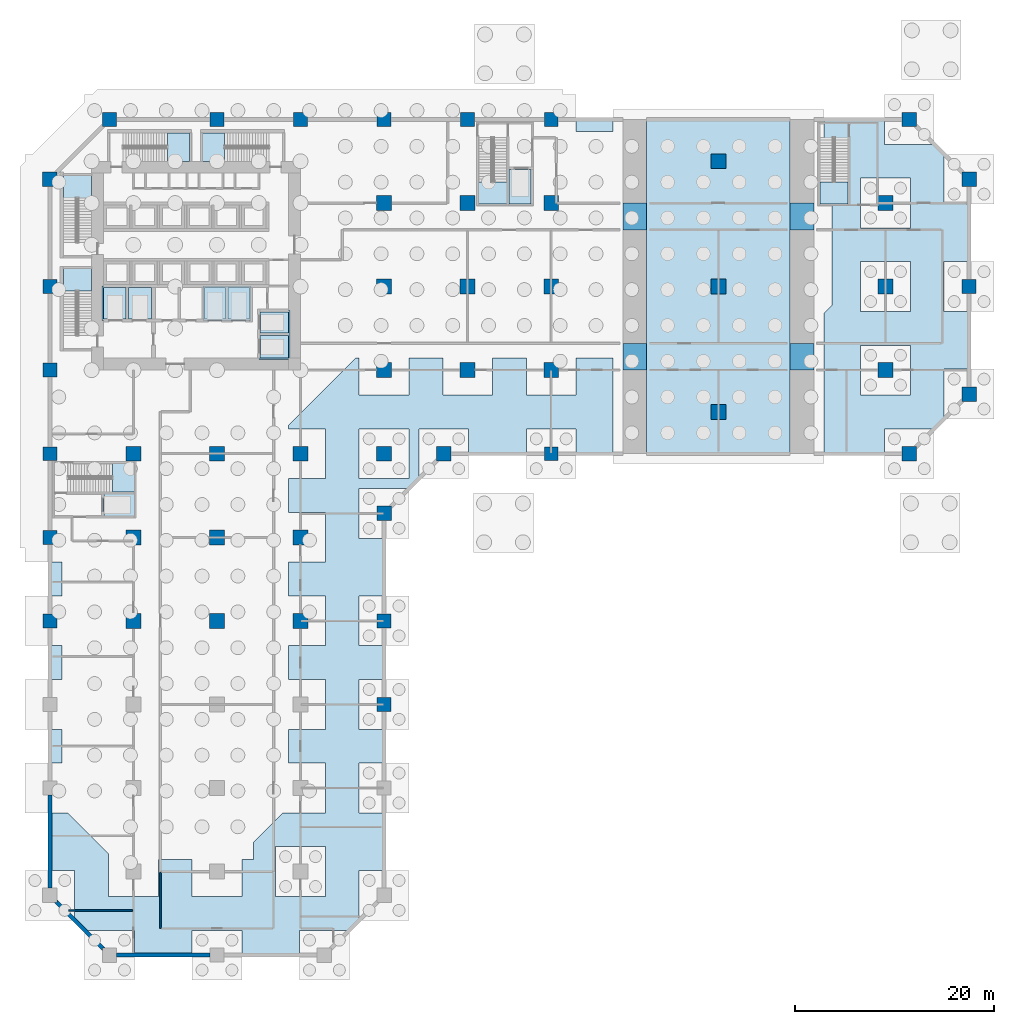
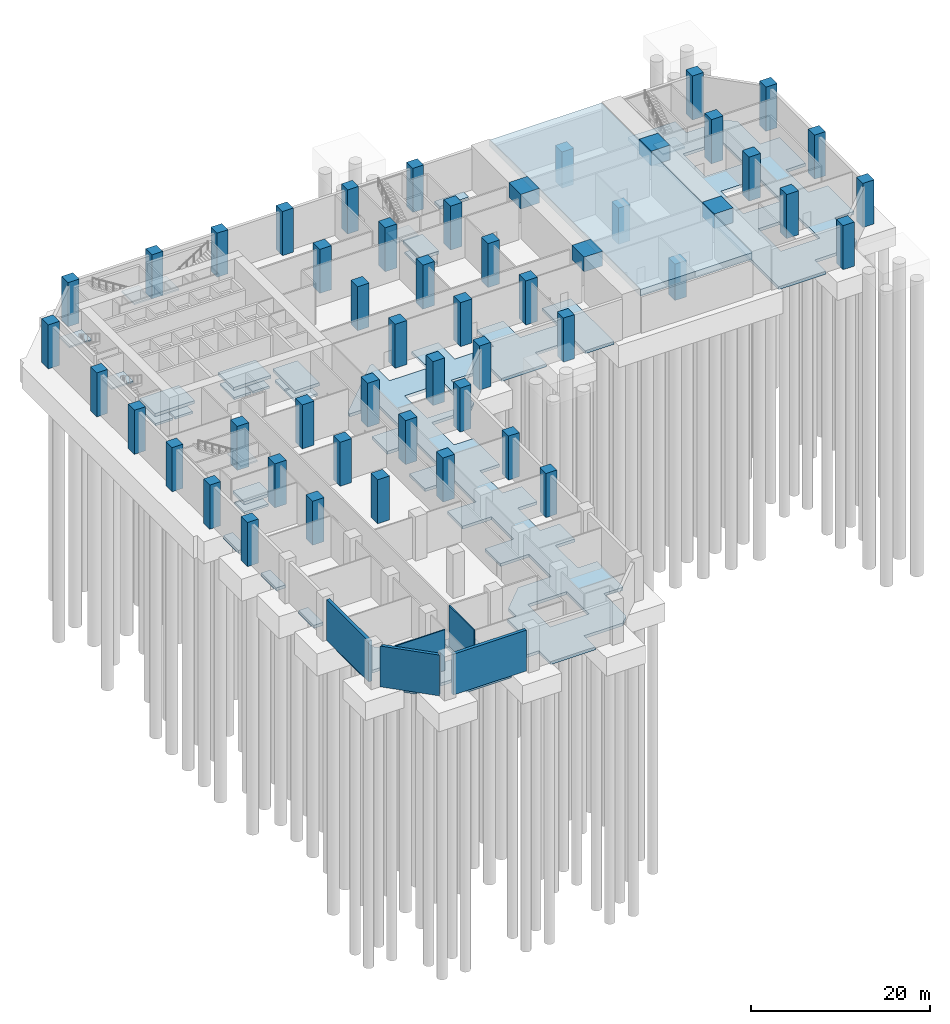
# One storey, part 3 of 13: 47 columns, 27 slabs, 5 walls, 4 beams, 7 elements without a shape of their own.
"""IFC4 building model written with IfcOpenShell, lengths in metres."""

from ifc_helpers import new_model, si_unit, direction, frame, frame_2d, origin, origin_2d, place, context, subcontext, project, spatial, polyline, rectangle, outline, extrude, material, layer, layer_set, material_profile, profile_set, type_object, element, aggregate, save


model = new_model("IFC4")

# Units and contexts
model_context = context("Model", 3, precision=1e-05, world=origin(), true_north=direction((0.0, 1.0)))
body_context = subcontext(model_context, "Body", "Model", "MODEL_VIEW")
ifc_project = project(units=[si_unit("LENGTHUNIT", "METRE"), si_unit("AREAUNIT", "SQUARE_METRE"), si_unit("VOLUMEUNIT", "CUBIC_METRE"), si_unit("PLANEANGLEUNIT", "RADIAN"), si_unit("MASSUNIT", "GRAM", prefix="KILO")], contexts=[model_context])

# Site, building, storey
site_placement = place(None, origin())
site = spatial("IfcSite", under=ifc_project, at=site_placement, CompositionType="ELEMENT")
building_placement = place(site_placement, origin())
building = spatial("IfcBuilding", under=site, at=building_placement, Name="Kawkab Arch Medical Tower", CompositionType="ELEMENT")
storey_placement = place(building_placement, frame((0.0, 0.0, -6.0)))
storey = spatial("IfcBuildingStorey", under=building, at=storey_placement, Name="B1", CompositionType="ELEMENT", Elevation=-6.0)

# Columns
ifc_material_1 = material(Name="Concrete C60/75", Category="concrete")
ifc_material_profile_1 = material_profile(ifc_material_1, rectangle(XDim=1.39990234375, YDim=1.39990234375, at=origin_2d()), Name="RC 1400x1400")
ifc_profile_set_1 = profile_set([ifc_material_profile_1], Name="Concrete C60/75")
column_type_1 = type_object("IfcColumnType", Name="RC 1400x1400 column C60/75", PredefinedType="COLUMN", material=ifc_profile_set_1)
for number, where, z_axis, x_axis, name in (
    (1, (16.800048828125, 0.0, 0.0), (0.0, 0.0, 1.0), (1.0, 0.0, 0.0), "Column RC 1400x1400"),
    (2, (25.199951171875, 0.0, 0.0), (0.0, 0.0, 1.0), (1.0, 0.0, 0.0), "Column RC 1400x1400"),
    (3, (33.60009765625, 0.0, 0.0), (0.0, 0.0, 1.0), (1.0, 0.0, 0.0), "Column RC 1400x1400"),
    (4, (42.0, 0.0, 0.0), (0.0, 0.0, 1.0), (1.0, 0.0, 0.0), "Column RC 1400x1400"),
    (5, (50.39990234375, 0.0, 0.0), (0.0, 0.0, 1.0), (1.0, 0.0, 0.0), "Column RC 1400x1400"),
    (6, (0.0, -16.800048828125, 0.0), (0.0, 0.0, 1.0), (1.0, 0.0, 0.0), "Column RC 1400x1400"),
    (7, (92.39990234375, -16.800048828125, 0.0), (0.0, 0.0, 1.0), (1.0, 0.0, 0.0), "Column RC 1400x1400"),
    (8, (0.0, -25.199951171875, 0.0), (0.0, 0.0, 1.0), (1.0, 0.0, 0.0), "Column RC 1400x1400"),
    (9, (0.0, -33.60009765625, 0.0), (0.0, 0.0, 1.0), (1.0, 0.0, 0.0), "Column RC 1400x1400"),
    (10, (50.39990234375, -33.60009765625, 0.0), (0.0, 0.0, 1.0), (1.0, 0.0, 0.0), "Column RC 1400x1400"),
    (11, (0.0, -42.0, 0.0), (0.0, 0.0, 1.0), (1.0, 0.0, 0.0), "Column RC 1400x1400"),
    (12, (0.0, -50.39990234375, 0.0), (0.0, 0.0, 1.0), (1.0, 0.0, 0.0), "Column RC 1400x1400"),
    (13, (33.60009765625, -50.39990234375, 0.0), (0.0, 0.0, 1.0), (1.0, 0.0, 0.0), "Column RC 1400x1400"),
    (14, (33.60009765625, -58.800048828125, 0.0), (0.0, 0.0, 1.0), (1.0, 0.0, 0.0), "Column RC 1400x1400"),
):
    element("IfcColumn", number, at=place(storey_placement, frame(where, z_axis=z_axis, x_axis=x_axis)), inside=storey, type_object=column_type_1, Name=name, PredefinedType="COLUMN", context=body_context, shape_type="SweptSolid", body=[
        extrude(rectangle(XDim=1.39990234375, YDim=1.39990234375, at=origin_2d()), origin(), (0.0, 0.0, 1.0), 6.0),
    ])
ifc_material_2 = material(Name="Concrete C60/75", Category="concrete")
ifc_material_profile_2 = material_profile(ifc_material_2, rectangle(XDim=1.449951171875, YDim=1.449951171875, at=origin_2d()), Name="RC 1450x1450")
ifc_profile_set_2 = profile_set([ifc_material_profile_2], Name="Concrete C60/75")
column_type_2 = type_object("IfcColumnType", Name="RC 1450x1450 column C60/75", PredefinedType="COLUMN", material=ifc_profile_set_2)
for number, where, z_axis, x_axis, name in (
    (15, (6.0, 0.0, 0.0), (0.0, 0.0, 1.0), (1.0, 0.0, 0.0), "Column RC 1450x1450"),
    (16, (86.39990234375, 0.0, 0.0), (0.0, 0.0, 1.0), (1.0, 0.0, 0.0), "Column RC 1450x1450"),
    (17, (0.0, -6.0, 0.0), (0.0, 0.0, 1.0), (1.0, 0.0, 0.0), "Column RC 1450x1450"),
    (18, (92.39990234375, -6.0, 0.0), (0.0, 0.0, 1.0), (1.0, 0.0, 0.0), "Column RC 1450x1450"),
    (19, (92.39990234375, -27.60009765625, 0.0), (0.0, 0.0, 1.0), (1.0, 0.0, 0.0), "Column RC 1450x1450"),
    (20, (39.60009765625, -33.60009765625, 0.0), (0.0, 0.0, 1.0), (1.0, 0.0, 0.0), "Column RC 1450x1450"),
    (21, (86.39990234375, -33.60009765625, 0.0), (0.0, 0.0, 1.0), (1.0, 0.0, 0.0), "Column RC 1450x1450"),
    (22, (33.60009765625, -39.60009765625, 0.0), (0.0, 0.0, 1.0), (1.0, 0.0, 0.0), "Column RC 1450x1450"),
):
    element("IfcColumn", number, at=place(storey_placement, frame(where, z_axis=z_axis, x_axis=x_axis)), inside=storey, type_object=column_type_2, Name=name, PredefinedType="COLUMN", context=body_context, shape_type="SweptSolid", body=[
        extrude(rectangle(XDim=1.449951171875, YDim=1.449951171875, at=origin_2d()), origin(), (0.0, 0.0, 1.0), 6.0),
    ])
ifc_material_3 = material(Name="Concrete C60/75", Category="concrete")
ifc_material_profile_3 = material_profile(ifc_material_3, rectangle(XDim=1.5, YDim=1.5, at=origin_2d()), Name="RC 1500x1500")
ifc_profile_set_3 = profile_set([ifc_material_profile_3], Name="Concrete C60/75")
column_type_3 = type_object("IfcColumnType", Name="RC 1500x1500 column C60/75", PredefinedType="COLUMN", material=ifc_profile_set_3)
column_1_placement = place(storey_placement, frame((67.199951171875, -4.199951171875, 0.0), z_axis=(0.0, 0.0, 1.0), x_axis=(1.0, 0.0, 0.0)))
element("IfcColumn", 23, at=column_1_placement, inside=storey, type_object=column_type_3, Name="Column RC 1500x1500", PredefinedType="COLUMN", context=body_context, shape_type="SweptSolid", body=[
    extrude(rectangle(XDim=1.5, YDim=1.5, at=origin_2d()), origin(), (0.0, 0.0, 1.0), 4.949951171875),
])
for number, where, z_axis, x_axis, name in (
    (24, (33.60009765625, -8.39990234375, 0.0), (0.0, 0.0, 1.0), (1.0, 0.0, 0.0), "Column RC 1500x1500"),
    (25, (42.0, -8.39990234375, 0.0), (0.0, 0.0, 1.0), (1.0, 0.0, 0.0), "Column RC 1500x1500"),
    (26, (50.39990234375, -8.39990234375, 0.0), (0.0, 0.0, 1.0), (1.0, 0.0, 0.0), "Column RC 1500x1500"),
    (27, (84.0, -8.39990234375, 0.0), (0.0, 0.0, 1.0), (1.0, 0.0, 0.0), "Column RC 1500x1500"),
    (28, (33.60009765625, -16.800048828125, 0.0), (0.0, 0.0, 1.0), (1.0, 0.0, 0.0), "Column RC 1500x1500"),
    (29, (42.0, -16.800048828125, 0.0), (0.0, 0.0, 1.0), (1.0, 0.0, 0.0), "Column RC 1500x1500"),
    (30, (50.39990234375, -16.800048828125, 0.0), (0.0, 0.0, 1.0), (1.0, 0.0, 0.0), "Column RC 1500x1500"),
):
    element("IfcColumn", number, at=place(storey_placement, frame(where, z_axis=z_axis, x_axis=x_axis)), inside=storey, type_object=column_type_3, Name=name, PredefinedType="COLUMN", context=body_context, shape_type="SweptSolid", body=[
        extrude(rectangle(XDim=1.5, YDim=1.5, at=origin_2d()), origin(), (0.0, 0.0, 1.0), 6.0),
    ])
column_2_placement = place(storey_placement, frame((67.199951171875, -16.800048828125, 0.0), z_axis=(0.0, 0.0, 1.0), x_axis=(1.0, 0.0, 0.0)))
element("IfcColumn", 31, at=column_2_placement, inside=storey, type_object=column_type_3, Name="Column RC 1500x1500", PredefinedType="COLUMN", context=body_context, shape_type="SweptSolid", body=[
    extrude(rectangle(XDim=1.5, YDim=1.5, at=origin_2d()), origin(), (0.0, 0.0, 1.0), 4.949951171875),
])
for number, where, z_axis, x_axis, name in (
    (32, (84.0, -16.800048828125, 0.0), (0.0, 0.0, 1.0), (1.0, 0.0, 0.0), "Column RC 1500x1500"),
    (33, (33.60009765625, -25.199951171875, 0.0), (0.0, 0.0, 1.0), (1.0, 0.0, 0.0), "Column RC 1500x1500"),
    (34, (42.0, -25.199951171875, 0.0), (0.0, 0.0, 1.0), (1.0, 0.0, 0.0), "Column RC 1500x1500"),
    (35, (50.39990234375, -25.199951171875, 0.0), (0.0, 0.0, 1.0), (1.0, 0.0, 0.0), "Column RC 1500x1500"),
    (36, (84.0, -25.199951171875, 0.0), (0.0, 0.0, 1.0), (1.0, 0.0, 0.0), "Column RC 1500x1500"),
):
    element("IfcColumn", number, at=place(storey_placement, frame(where, z_axis=z_axis, x_axis=x_axis)), inside=storey, type_object=column_type_3, Name=name, PredefinedType="COLUMN", context=body_context, shape_type="SweptSolid", body=[
        extrude(rectangle(XDim=1.5, YDim=1.5, at=origin_2d()), origin(), (0.0, 0.0, 1.0), 6.0),
    ])
column_3_placement = place(storey_placement, frame((67.199951171875, -29.39990234375, 0.0), z_axis=(0.0, 0.0, 1.0), x_axis=(1.0, 0.0, 0.0)))
element("IfcColumn", 37, at=column_3_placement, inside=storey, type_object=column_type_3, Name="Column RC 1500x1500", PredefinedType="COLUMN", context=body_context, shape_type="SweptSolid", body=[
    extrude(rectangle(XDim=1.5, YDim=1.5, at=origin_2d()), origin(), (0.0, 0.0, 1.0), 4.949951171875),
])
for number, where, z_axis, x_axis, name in (
    (38, (8.39990234375, -33.60009765625, 0.0), (0.0, 0.0, 1.0), (1.0, 0.0, 0.0), "Column RC 1500x1500"),
    (39, (16.800048828125, -33.60009765625, 0.0), (0.0, 0.0, 1.0), (1.0, 0.0, 0.0), "Column RC 1500x1500"),
    (40, (25.199951171875, -33.60009765625, 0.0), (0.0, 0.0, 1.0), (1.0, 0.0, 0.0), "Column RC 1500x1500"),
    (41, (33.60009765625, -33.60009765625, 0.0), (0.0, 0.0, 1.0), (1.0, 0.0, 0.0), "Column RC 1500x1500"),
    (42, (8.39990234375, -42.0, 0.0), (0.0, 0.0, 1.0), (1.0, 0.0, 0.0), "Column RC 1500x1500"),
    (43, (16.800048828125, -42.0, 0.0), (0.0, 0.0, 1.0), (1.0, 0.0, 0.0), "Column RC 1500x1500"),
    (44, (25.199951171875, -42.0, 0.0), (0.0, 0.0, 1.0), (1.0, 0.0, 0.0), "Column RC 1500x1500"),
    (45, (8.39990234375, -50.39990234375, 0.0), (0.0, 0.0, 1.0), (1.0, 0.0, 0.0), "Column RC 1500x1500"),
    (46, (16.800048828125, -50.39990234375, 0.0), (0.0, 0.0, 1.0), (1.0, 0.0, 0.0), "Column RC 1500x1500"),
    (47, (25.199951171875, -50.39990234375, 0.0), (0.0, 0.0, 1.0), (1.0, 0.0, 0.0), "Column RC 1500x1500"),
):
    element("IfcColumn", number, at=place(storey_placement, frame(where, z_axis=z_axis, x_axis=x_axis)), inside=storey, type_object=column_type_3, Name=name, PredefinedType="COLUMN", context=body_context, shape_type="SweptSolid", body=[
        extrude(rectangle(XDim=1.5, YDim=1.5, at=origin_2d()), origin(), (0.0, 0.0, 1.0), 6.0),
    ])

# Beams
ifc_material_4 = material(Name="Concrete C60/75", Category="concrete")
ifc_material_profile_4 = material_profile(ifc_material_4, rectangle(XDim=2.39990234375, YDim=2.0, at=origin_2d()), Name="RC 2400x2000")
ifc_profile_set_4 = profile_set([ifc_material_profile_4], Name="Concrete C60/75")
beam_type = type_object("IfcBeamType", Name="RC 2400x2000 beam C60/75", PredefinedType="LINTEL", material=ifc_profile_set_4)
beam_1_placement = place(storey_placement, frame((58.800048828125, -8.39990234375, 5.0), z_axis=(0.0, -1.0, 0.0), x_axis=(1.0, 0.0, 0.0)))
element("IfcBeam", 48, at=beam_1_placement, inside=storey, type_object=beam_type, Name="Pier lintel B1-2", PredefinedType="LINTEL", context=body_context, shape_type="SweptSolid", body=[
    extrude(rectangle(XDim=2.39990234375, YDim=2.0, at=origin_2d()), origin(), (0.0, 0.0, 1.0), 2.7001953125),
])
beam_2_placement = place(storey_placement, frame((58.800048828125, -22.5, 5.0), z_axis=(0.0, -1.0, 0.0), x_axis=(1.0, 0.0, 0.0)))
element("IfcBeam", 49, at=beam_2_placement, inside=storey, type_object=beam_type, Name="Pier lintel B1-4", PredefinedType="LINTEL", context=body_context, shape_type="SweptSolid", body=[
    extrude(rectangle(XDim=2.39990234375, YDim=2.0, at=origin_2d()), origin(), (0.0, 0.0, 1.0), 2.699951171875),
])
beam_3_placement = place(storey_placement, frame((75.60009765625, -8.39990234375, 5.0), z_axis=(0.0, -1.0, 0.0), x_axis=(1.0, 0.0, 0.0)))
element("IfcBeam", 50, at=beam_3_placement, inside=storey, type_object=beam_type, Name="Pier lintel B1-7", PredefinedType="LINTEL", context=body_context, shape_type="SweptSolid", body=[
    extrude(rectangle(XDim=2.39990234375, YDim=2.0, at=origin_2d()), origin(), (0.0, 0.0, 1.0), 2.7001953125),
])
beam_4_placement = place(storey_placement, frame((75.60009765625, -22.5, 5.0), z_axis=(0.0, -1.0, 0.0), x_axis=(1.0, 0.0, 0.0)))
element("IfcBeam", 51, at=beam_4_placement, inside=storey, type_object=beam_type, Name="Pier lintel B1-9", PredefinedType="LINTEL", context=body_context, shape_type="SweptSolid", body=[
    extrude(rectangle(XDim=2.39990234375, YDim=2.0, at=origin_2d()), origin(), (0.0, 0.0, 1.0), 2.699951171875),
])

# Stair, slab
ifc_material_5 = material(Name="Concrete C40/50", Category="concrete")
stair_type = type_object("IfcStairType", Name="Exit stair 1350", PredefinedType="HALF_TURN_STAIR", material=ifc_material_5)
placement_1 = place(storey_placement, origin())
stair_1 = element("IfcStair", 52, at=placement_1, inside=storey, type_object=stair_type, Name="B1 Exit stair ST1", PredefinedType="HALF_TURN_STAIR")
ifc_material_6 = material(Name="Concrete C40/50", Category="concrete")
ifc_layer_1 = layer(ifc_material_6, 0.199951171875)
ifc_layer_set_1 = layer_set([ifc_layer_1], Name="Concrete C40/50")
slab_type_1 = type_object("IfcSlabType", Name="Exit stair landing 200", PredefinedType="LANDING", material=ifc_layer_set_1)
placement_2 = place(storey_placement, frame((0.0, 0.0, 2.800048828125)))
slab_1 = element("IfcSlab", 53, at=placement_2, type_object=slab_type_1, Name="ST1 landing 1", PredefinedType="LANDING", context=body_context, shape_type="SweptSolid", body=[
    extrude(outline(polyline([(4.199951171875, -7.8701171875), (4.199951171875, -5.64990234375), (1.35009765625, -5.64990234375), (1.35009765625, -7.8701171875), (4.199951171875, -7.8701171875)])), origin(), (0.0, 0.0, 1.0), 0.199951171875),
])
aggregate(stair_1, [slab_1])

stair_2 = element("IfcStair", 54, at=placement_1, inside=storey, type_object=stair_type, Name="B1 Exit stair ST2", PredefinedType="HALF_TURN_STAIR")
slab_2 = element("IfcSlab", 55, at=placement_2, type_object=slab_type_1, Name="ST2 landing 1", PredefinedType="LANDING", context=body_context, shape_type="SweptSolid", body=[
    extrude(outline(polyline([(4.199951171875, -17.219970703125), (4.199951171875, -15.0), (1.35009765625, -15.0), (1.35009765625, -17.219970703125), (4.199951171875, -17.219970703125)])), origin(), (0.0, 0.0, 1.0), 0.199951171875),
])
aggregate(stair_2, [slab_2])

stair_3 = element("IfcStair", 56, at=placement_1, inside=storey, type_object=stair_type, Name="B1 Exit stair ST3", PredefinedType="HALF_TURN_STAIR")
slab_3 = element("IfcSlab", 57, at=placement_2, type_object=slab_type_1, Name="ST3 landing 1", PredefinedType="LANDING", context=body_context, shape_type="SweptSolid", body=[
    extrude(outline(polyline([(11.830078125, -4.199951171875), (14.050048828125, -4.199951171875), (14.050048828125, -1.35009765625), (11.830078125, -1.35009765625), (11.830078125, -4.199951171875)])), origin(), (0.0, 0.0, 1.0), 0.199951171875),
])
aggregate(stair_3, [slab_3])

stair_4 = element("IfcStair", 58, at=placement_1, inside=storey, type_object=stair_type, Name="B1 Exit stair ST4", PredefinedType="HALF_TURN_STAIR")
slab_4 = element("IfcSlab", 59, at=placement_2, type_object=slab_type_1, Name="ST4 landing 1", PredefinedType="LANDING", context=body_context, shape_type="SweptSolid", body=[
    extrude(outline(polyline([(17.570068359375, -1.35009765625), (15.35009765625, -1.35009765625), (15.35009765625, -4.199951171875), (17.570068359375, -4.199951171875), (17.570068359375, -1.35009765625)])), origin(), (0.0, 0.0, 1.0), 0.199951171875),
])
aggregate(stair_4, [slab_4])

stair_5 = element("IfcStair", 60, at=placement_1, inside=storey, type_object=stair_type, Name="B1 Exit stair ST5", PredefinedType="HALF_TURN_STAIR")
slab_5 = element("IfcSlab", 61, at=placement_2, type_object=slab_type_1, Name="ST5 landing 1", PredefinedType="LANDING", context=body_context, shape_type="SweptSolid", body=[
    extrude(outline(polyline([(43.10009765625, -6.280029296875), (43.10009765625, -8.5), (45.949951171875, -8.5), (45.949951171875, -6.280029296875), (43.10009765625, -6.280029296875)])), origin(), (0.0, 0.0, 1.0), 0.199951171875),
])
aggregate(stair_5, [slab_5])

stair_6 = element("IfcStair", 62, at=placement_1, inside=storey, type_object=stair_type, Name="B1 Exit stair ST6", PredefinedType="HALF_TURN_STAIR")
slab_6 = element("IfcSlab", 63, at=placement_2, type_object=slab_type_1, Name="ST6 landing 1", PredefinedType="LANDING", context=body_context, shape_type="SweptSolid", body=[
    extrude(outline(polyline([(6.280029296875, -37.449951171875), (8.5, -37.449951171875), (8.5, -34.60009765625), (6.280029296875, -34.60009765625), (6.280029296875, -37.449951171875)])), origin(), (0.0, 0.0, 1.0), 0.199951171875),
])
aggregate(stair_6, [slab_6])

stair_7 = element("IfcStair", 64, at=placement_1, inside=storey, type_object=stair_type, Name="B1 Exit stair ST7", PredefinedType="HALF_TURN_STAIR")
slab_7 = element("IfcSlab", 65, at=placement_2, type_object=slab_type_1, Name="ST7 landing 1", PredefinedType="LANDING", context=body_context, shape_type="SweptSolid", body=[
    extrude(outline(polyline([(77.39990234375, -6.280029296875), (77.39990234375, -8.5), (80.25, -8.5), (80.25, -6.280029296875), (77.39990234375, -6.280029296875)])), origin(), (0.0, 0.0, 1.0), 0.199951171875),
])
aggregate(stair_7, [slab_7])

# Slabs
ifc_material_7 = material(Name="Concrete C40/50", Category="concrete")
ifc_layer_2 = layer(ifc_material_7, 0.300048828125)
ifc_layer_set_2 = layer_set([ifc_layer_2], Name="Concrete C40/50")
slab_type_2 = type_object("IfcSlabType", Name="Lift pit floor 300 C40/50", PredefinedType="BASESLAB", material=ifc_layer_set_2)
placement_3 = place(storey_placement, frame((0.0, 0.0, -1.800048828125)))
element("IfcSlab", 66, at=placement_3, inside=storey, type_object=slab_type_2, Name="Lift pit floor BD1", PredefinedType="BASESLAB", context=body_context, shape_type="SweptSolid", body=[
    extrude(outline(polyline([(21.14990234375, -21.47509765625), (24.0, -21.47509765625), (24.0, -19.35009765625), (21.14990234375, -19.35009765625), (21.14990234375, -21.47509765625)])), origin(), (0.0, 0.0, 1.0), 0.300048828125),
])
element("IfcSlab", 67, at=placement_3, inside=storey, type_object=slab_type_2, Name="Lift pit floor BD2", PredefinedType="BASESLAB", context=body_context, shape_type="SweptSolid", body=[
    extrude(outline(polyline([(21.14990234375, -24.0), (24.0, -24.0), (24.0, -21.72509765625), (21.14990234375, -21.72509765625), (21.14990234375, -24.0)])), origin(), (0.0, 0.0, 1.0), 0.300048828125),
])
element("IfcSlab", 68, at=placement_3, inside=storey, type_object=slab_type_2, Name="Lift pit floor BD3", PredefinedType="BASESLAB", context=body_context, shape_type="SweptSolid", body=[
    extrude(outline(polyline([(15.52490234375, -20.050048828125), (17.675048828125, -20.050048828125), (17.675048828125, -16.89990234375), (15.52490234375, -16.89990234375), (15.52490234375, -20.050048828125)])), origin(), (0.0, 0.0, 1.0), 0.300048828125),
])
element("IfcSlab", 69, at=placement_3, inside=storey, type_object=slab_type_2, Name="Lift pit floor BD4", PredefinedType="BASESLAB", context=body_context, shape_type="SweptSolid", body=[
    extrude(outline(polyline([(17.925048828125, -20.050048828125), (20.050048828125, -20.050048828125), (20.050048828125, -16.89990234375), (17.925048828125, -16.89990234375), (17.925048828125, -20.050048828125)])), origin(), (0.0, 0.0, 1.0), 0.300048828125),
])
element("IfcSlab", 70, at=placement_3, inside=storey, type_object=slab_type_2, Name="Lift pit floor FL1", PredefinedType="BASESLAB", context=body_context, shape_type="SweptSolid", body=[
    extrude(outline(polyline([(5.39990234375, -20.050048828125), (7.675048828125, -20.050048828125), (7.675048828125, -16.89990234375), (5.39990234375, -16.89990234375), (5.39990234375, -20.050048828125)])), origin(), (0.0, 0.0, 1.0), 0.300048828125),
])
element("IfcSlab", 71, at=placement_3, inside=storey, type_object=slab_type_2, Name="Lift pit floor FL2", PredefinedType="BASESLAB", context=body_context, shape_type="SweptSolid", body=[
    extrude(outline(polyline([(7.925048828125, -20.050048828125), (10.199951171875, -20.050048828125), (10.199951171875, -16.89990234375), (7.925048828125, -16.89990234375), (7.925048828125, -20.050048828125)])), origin(), (0.0, 0.0, 1.0), 0.300048828125),
])
element("IfcSlab", 72, at=placement_3, inside=storey, type_object=slab_type_2, Name="Lift pit floor SV1", PredefinedType="BASESLAB", context=body_context, shape_type="SweptSolid", body=[
    extrude(outline(polyline([(46.14990234375, -8.5), (48.35009765625, -8.5), (48.35009765625, -5.02490234375), (46.14990234375, -5.02490234375), (46.14990234375, -8.5)])), origin(), (0.0, 0.0, 1.0), 0.300048828125),
])
element("IfcSlab", 73, at=placement_3, inside=storey, type_object=slab_type_2, Name="Lift pit floor SV2", PredefinedType="BASESLAB", context=body_context, shape_type="SweptSolid", body=[
    extrude(outline(polyline([(5.425048828125, -39.85009765625), (8.5, -39.85009765625), (8.5, -37.64990234375), (5.425048828125, -37.64990234375), (5.425048828125, -39.85009765625)])), origin(), (0.0, 0.0, 1.0), 0.300048828125),
])
ifc_material_8 = material(Name="Concrete C45/55", Category="concrete")
ifc_layer_3 = layer(ifc_material_8, 0.39990234375)
ifc_layer_set_3 = layer_set([ifc_layer_3], Name="Concrete C45/55")
slab_type_3 = type_object("IfcSlabType", Name="Slab on ground 400 C45/55", PredefinedType="BASESLAB", material=ifc_layer_set_3)
placement_4 = place(storey_placement, frame((0.0, 0.0, -0.39990234375)))
element("IfcSlab", 74, at=placement_4, inside=storey, type_object=slab_type_3, Name="Basement floor slab 1", PredefinedType="BASESLAB", context=body_context, shape_type="SweptSolid", body=[
    extrude(outline(polyline([(56.60009765625, -1.199951171875), (52.89990234375, -1.199951171875), (52.89990234375, 0.0), (56.60009765625, 0.0), (56.60009765625, -1.199951171875)])), origin(), (0.0, 0.0, 1.0), 0.39990234375),
])
element("IfcSlab", 75, at=placement_4, inside=storey, type_object=slab_type_3, Name="Basement floor slab 2", PredefinedType="BASESLAB", context=body_context, shape_type="SweptSolid", body=[
    extrude(outline(polyline([(89.89990234375, -25.10009765625), (89.89990234375, -30.10009765625), (88.89990234375, -31.10009765625), (83.89990234375, -31.10009765625), (83.89990234375, -33.60009765625), (77.800048828125, -33.60009765625), (77.800048828125, -19.502685546875), (78.60009765625, -18.70263671875), (78.60009765625, -6.497314453125), (77.800048828125, -5.697509765625), (77.800048828125, 0.0), (83.89990234375, 0.0), (83.89990234375, -2.5), (88.89990234375, -2.5), (89.89990234375, -3.5), (89.89990234375, -8.5), (92.39990234375, -8.5), (92.39990234375, -14.300048828125), (89.89990234375, -14.300048828125), (89.89990234375, -19.300048828125), (92.39990234375, -19.300048828125), (92.39990234375, -25.10009765625), (89.89990234375, -25.10009765625)]), holes=[polyline([(81.5, -10.89990234375), (86.5, -10.89990234375), (86.5, -5.89990234375), (81.5, -5.89990234375), (81.5, -10.89990234375)]), polyline([(81.5, -14.300048828125), (81.5, -19.300048828125), (86.5, -19.300048828125), (86.5, -14.300048828125), (81.5, -14.300048828125)]), polyline([(86.5, -27.699951171875), (86.5, -22.699951171875), (81.5, -22.699951171875), (81.5, -27.699951171875), (86.5, -27.699951171875)])]), origin(), (0.0, 0.0, 1.0), 0.39990234375),
])
element("IfcSlab", 76, at=placement_4, inside=storey, type_object=slab_type_3, Name="Basement floor slab 3", PredefinedType="BASESLAB", context=body_context, shape_type="SweptSolid", body=[
    extrude(outline(polyline([(24.0, -64.699951171875), (24.0, -61.300048828125), (27.699951171875, -61.300048828125), (27.699951171875, -56.300048828125), (24.0, -56.300048828125), (24.0, -52.89990234375), (27.699951171875, -52.89990234375), (27.699951171875, -47.89990234375), (24.0, -47.89990234375), (24.0, -44.5), (27.699951171875, -44.5), (27.699951171875, -39.5), (24.0, -39.5), (24.0, -36.10009765625), (27.699951171875, -36.10009765625), (27.699951171875, -31.10009765625), (24.0, -31.10009765625), (24.0, -30.70263671875), (30.70263671875, -24.0), (31.10009765625, -24.0), (31.10009765625, -27.699951171875), (36.10009765625, -27.699951171875), (36.10009765625, -24.0), (39.5, -24.0), (39.5, -27.699951171875), (44.5, -27.699951171875), (44.5, -24.0), (47.89990234375, -24.0), (47.89990234375, -27.699951171875), (52.89990234375, -27.699951171875), (52.89990234375, -24.0), (56.60009765625, -24.0), (56.60009765625, -33.60009765625), (52.89990234375, -33.60009765625), (52.89990234375, -31.10009765625), (47.89990234375, -31.10009765625), (47.89990234375, -33.60009765625), (42.10009765625, -33.60009765625), (42.10009765625, -31.10009765625), (37.10009765625, -31.10009765625), (37.10009765625, -36.10009765625), (36.10009765625, -37.10009765625), (31.10009765625, -37.10009765625), (31.10009765625, -42.10009765625), (33.60009765625, -42.10009765625), (33.60009765625, -47.89990234375), (31.10009765625, -47.89990234375), (31.10009765625, -52.89990234375), (33.60009765625, -52.89990234375), (33.60009765625, -56.300048828125), (31.10009765625, -56.300048828125), (31.10009765625, -61.300048828125), (33.60009765625, -61.300048828125), (33.60009765625, -64.699951171875), (31.10009765625, -64.699951171875), (31.10009765625, -69.699951171875), (33.60009765625, -69.699951171875), (33.60009765625, -75.5), (31.10009765625, -75.5), (31.10009765625, -80.5), (30.10009765625, -81.5), (25.10009765625, -81.5), (25.10009765625, -84.0), (19.300048828125, -84.0), (19.300048828125, -81.5), (14.300048828125, -81.5), (14.300048828125, -84.0), (8.5, -84.0), (8.5, -81.5), (3.5, -81.5), (2.5, -80.5), (2.5, -75.5), (0.0, -75.5), (0.0, -69.699951171875), (1.79736328125, -69.699951171875), (5.89990234375, -73.8037109375), (5.89990234375, -78.10009765625), (10.89990234375, -78.10009765625), (10.89990234375, -74.40087890625), (14.300048828125, -74.40087890625), (14.300048828125, -78.10009765625), (19.300048828125, -78.10009765625), (19.300048828125, -74.40087890625), (20.4599609375, -74.40087890625), (20.4599609375, -72.642578125), (23.402587890625, -69.699951171875), (27.699951171875, -69.699951171875), (27.699951171875, -64.699951171875), (24.0, -64.699951171875)]), holes=[polyline([(31.10009765625, -31.10009765625), (31.10009765625, -36.10009765625), (36.10009765625, -36.10009765625), (36.10009765625, -31.10009765625), (31.10009765625, -31.10009765625)]), polyline([(22.699951171875, -73.10009765625), (22.699951171875, -78.10009765625), (27.699951171875, -78.10009765625), (27.699951171875, -73.10009765625), (22.699951171875, -73.10009765625)])]), origin(), (0.0, 0.0, 1.0), 0.39990234375),
])
element("IfcSlab", 77, at=placement_4, inside=storey, type_object=slab_type_3, Name="Basement floor slab 4", PredefinedType="BASESLAB", context=body_context, shape_type="SweptSolid", body=[
    extrude(outline(polyline([(1.199951171875, -61.300048828125), (1.199951171875, -64.699951171875), (0.0, -64.699951171875), (0.0, -61.300048828125), (1.199951171875, -61.300048828125)])), origin(), (0.0, 0.0, 1.0), 0.39990234375),
])
element("IfcSlab", 78, at=placement_4, inside=storey, type_object=slab_type_3, Name="Basement floor slab 5", PredefinedType="BASESLAB", context=body_context, shape_type="SweptSolid", body=[
    extrude(outline(polyline([(1.199951171875, -52.89990234375), (1.199951171875, -56.300048828125), (0.0, -56.300048828125), (0.0, -52.89990234375), (1.199951171875, -52.89990234375)])), origin(), (0.0, 0.0, 1.0), 0.39990234375),
])
element("IfcSlab", 79, at=placement_4, inside=storey, type_object=slab_type_3, Name="Basement floor slab 6", PredefinedType="BASESLAB", context=body_context, shape_type="SweptSolid", body=[
    extrude(outline(polyline([(1.199951171875, -44.5), (1.199951171875, -47.89990234375), (0.0, -47.89990234375), (0.0, -44.5), (1.199951171875, -44.5)])), origin(), (0.0, 0.0, 1.0), 0.39990234375),
])
element("IfcSlab", 80, at=placement_4, inside=storey, type_object=slab_type_3, Name="Basement floor slab 7", PredefinedType="BASESLAB", context=body_context, shape_type="SweptSolid", body=[
    extrude(outline(polyline([(48.5, -8.64990234375), (46.0, -8.64990234375), (46.0, -4.875), (48.5, -4.875), (48.5, -8.64990234375)])), origin(), (0.0, 0.0, 1.0), 0.39990234375),
])
element("IfcSlab", 81, at=placement_4, inside=storey, type_object=slab_type_3, Name="Basement floor slab 8", PredefinedType="BASESLAB", context=body_context, shape_type="SweptSolid", body=[
    extrude(outline(polyline([(24.14990234375, -21.625), (24.14990234375, -24.14990234375), (21.0, -24.14990234375), (21.0, -21.625), (21.0, -21.574951171875), (21.0, -19.199951171875), (24.14990234375, -19.199951171875), (24.14990234375, -21.574951171875), (24.14990234375, -21.625)])), origin(), (0.0, 0.0, 1.0), 0.39990234375),
])
element("IfcSlab", 82, at=placement_4, inside=storey, type_object=slab_type_3, Name="Basement floor slab 9", PredefinedType="BASESLAB", context=body_context, shape_type="SweptSolid", body=[
    extrude(outline(polyline([(17.824951171875, -16.75), (20.199951171875, -16.75), (20.199951171875, -20.199951171875), (17.824951171875, -20.199951171875), (17.77490234375, -20.199951171875), (15.375, -20.199951171875), (15.375, -16.75), (17.77490234375, -16.75), (17.824951171875, -16.75)])), origin(), (0.0, 0.0, 1.0), 0.39990234375),
])
element("IfcSlab", 83, at=placement_4, inside=storey, type_object=slab_type_3, Name="Basement floor slab 10", PredefinedType="BASESLAB", context=body_context, shape_type="SweptSolid", body=[
    extrude(outline(polyline([(7.824951171875, -20.199951171875), (7.77490234375, -20.199951171875), (5.25, -20.199951171875), (5.25, -16.75), (7.77490234375, -16.75), (7.824951171875, -16.75), (10.35009765625, -16.75), (10.35009765625, -20.199951171875), (7.824951171875, -20.199951171875)])), origin(), (0.0, 0.0, 1.0), 0.39990234375),
])
element("IfcSlab", 84, at=placement_4, inside=storey, type_object=slab_type_3, Name="Basement floor slab 11", PredefinedType="BASESLAB", context=body_context, shape_type="SweptSolid", body=[
    extrude(outline(polyline([(8.64990234375, -37.5), (8.64990234375, -40.0), (5.27490234375, -40.0), (5.27490234375, -37.5), (8.64990234375, -37.5)])), origin(), (0.0, 0.0, 1.0), 0.39990234375),
])
ifc_material_9 = material(Name="Concrete C45/55", Category="concrete")
ifc_layer_4 = layer(ifc_material_9, 0.89990234375)
ifc_layer_set_4 = layer_set([ifc_layer_4], Name="Concrete C45/55")
slab_type_4 = type_object("IfcSlabType", Name="Street deck 900 C45/55", PredefinedType="FLOOR", material=ifc_layer_set_4)
slab_27_placement = place(storey_placement, frame((0.0, 0.0, 4.949951171875)))
element("IfcSlab", 85, at=slab_27_placement, inside=storey, type_object=slab_type_4, Name="Street deck under the arch", PredefinedType="FLOOR", context=body_context, shape_type="SweptSolid", body=[
    extrude(outline(polyline([(74.39990234375, -33.60009765625), (74.39990234375, 0.0), (60.0, 0.0), (60.0, -33.60009765625), (74.39990234375, -33.60009765625)])), origin(), (0.0, 0.0, 1.0), 0.900146484375),
])

# Walls
ifc_material_10 = material(Name="Concrete C45/55", Category="concrete")
ifc_layer_5 = layer(ifc_material_10, 0.39990234375)
ifc_layer_set_5 = layer_set([ifc_layer_5], Name="Concrete C45/55")
wall_type_1 = type_object("IfcWallType", Name="Basement wall 400 C45/55", PredefinedType="SOLIDWALL", material=ifc_layer_set_5)
element("IfcWall", 86, at=placement_1, inside=storey, type_object=wall_type_1, Name="Basement wall 29", PredefinedType="SOLIDWALL", context=body_context, shape_type="SweptSolid", body=[
    extrude(outline(polyline([(0.199951171875, -67.89990234375), (0.199951171875, -77.27490234375), (-0.199951171875, -77.27490234375), (-0.199951171875, -67.89990234375), (0.199951171875, -67.89990234375)])), origin(), (0.0, 0.0, 1.0), 5.550048828125),
])
element("IfcWall", 87, at=placement_1, inside=storey, type_object=wall_type_1, Name="Basement wall 31", PredefinedType="SOLIDWALL", context=body_context, shape_type="SweptSolid", body=[
    extrude(outline(polyline([(0.72509765625, -78.72509765625), (0.72509765625, -78.442138671875), (5.557861328125, -83.27490234375), (5.27490234375, -83.27490234375), (5.27490234375, -83.557861328125), (0.442138671875, -78.72509765625), (0.72509765625, -78.72509765625)])), origin(), (0.0, 0.0, 1.0), 5.550048828125),
])
element("IfcWall", 88, at=placement_1, inside=storey, type_object=wall_type_1, Name="Basement wall 33", PredefinedType="SOLIDWALL", context=body_context, shape_type="SweptSolid", body=[
    extrude(outline(polyline([(6.72509765625, -83.800048828125), (16.10009765625, -83.800048828125), (16.10009765625, -84.199951171875), (6.72509765625, -84.199951171875), (6.72509765625, -83.800048828125)])), origin(), (0.0, 0.0, 1.0), 5.550048828125),
])
ifc_material_11 = material(Name="Gypsum board partition on steel studs, mineral wool", Category="steel")
ifc_layer_6 = layer(ifc_material_11, 0.14990234375)
ifc_layer_set_6 = layer_set([ifc_layer_6], Name="Gypsum board partition on steel studs, mineral wool")
wall_type_2 = type_object("IfcWallType", Name="Partition 150", PredefinedType="PARTITIONING", material=ifc_layer_set_6)
wall_4_placement = place(storey_placement, frame((1.886962890625, -79.5, 0.0), z_axis=(0.0, 0.0, 1.0), x_axis=(1.0, 0.0, 0.0)))
element("IfcWall", 89, at=wall_4_placement, inside=storey, type_object=wall_type_2, Name="Partition 150 w004", PredefinedType="PARTITIONING", context=body_context, shape_type="SweptSolid", body=[
    extrude(rectangle(XDim=6.43798828125, YDim=0.14990234375, at=frame_2d((3.218994140625, 0.0))), origin(), (0.0, 0.0, 1.0), 5.550048828125),
])
wall_5_placement = place(storey_placement, frame((11.10009765625, -81.300048828125, 0.0), z_axis=(0.0, 0.0, 1.0), x_axis=(0.0, 1.0, 0.0)))
element("IfcWall", 90, at=wall_5_placement, inside=storey, type_object=wall_type_2, Name="Partition 150 w025", PredefinedType="PARTITIONING", context=body_context, shape_type="SweptSolid", body=[
    extrude(rectangle(XDim=5.60009765625, YDim=0.14990234375, at=frame_2d((2.800048828125, 0.0))), origin(), (0.0, 0.0, 1.0), 5.550048828125),
])

save(model, "model.ifc")
